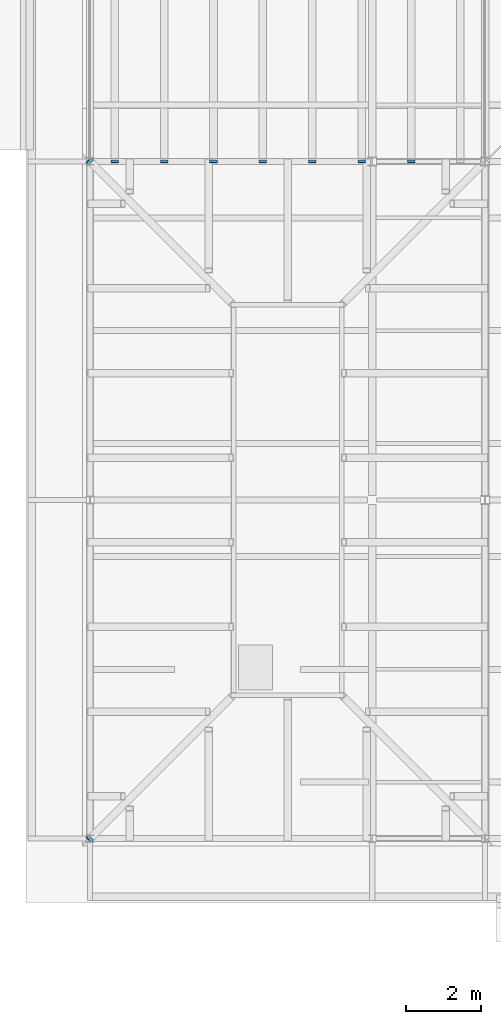
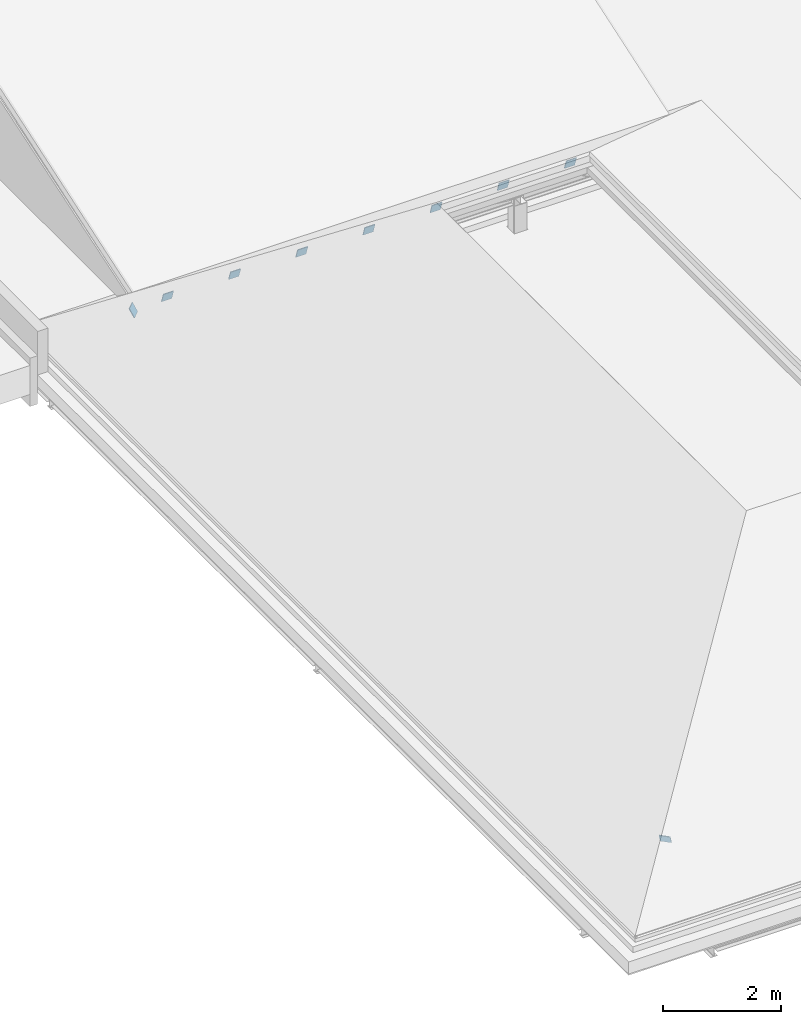
# One storey, part 99 of 121: 9 discrete accessories.
"""IFC4 building model written with IfcOpenShell, lengths in metres."""

from ifc_helpers import new_model, si_unit, direction, frame, origin, origin_2d, place, context, subcontext, project, spatial, rectangle, extrude, material, material_profile, profile_set, type_object, element, save


model = new_model("IFC4")

# Units and contexts
model_context = context("Model", 3, precision=1e-05, world=origin(), true_north=direction((0.0, 1.0)))
body_context = subcontext(model_context, "Body", "Model", "MODEL_VIEW")
ifc_project = project(units=[si_unit("LENGTHUNIT", "METRE"), si_unit("AREAUNIT", "SQUARE_METRE"), si_unit("VOLUMEUNIT", "CUBIC_METRE"), si_unit("PLANEANGLEUNIT", "RADIAN"), si_unit("MASSUNIT", "GRAM", prefix="KILO")], contexts=[model_context])

# Site, building, storey
site_placement = place(None, origin())
site = spatial("IfcSite", under=ifc_project, at=site_placement, CompositionType="ELEMENT")
building_placement = place(site_placement, origin())
building = spatial("IfcBuilding", under=site, at=building_placement, Name="Golden Quay Civic Hall", CompositionType="ELEMENT")
storey_placement = place(building_placement, frame((0.0, 0.0, 18.60009765625)))
storey = spatial("IfcBuildingStorey", under=building, at=storey_placement, Name="L04", CompositionType="ELEMENT", Elevation=18.60009765625)

# Discrete accessories
ifc_material = material(Name="Steel S355", Category="steel")
ifc_material_profile = material_profile(ifc_material, rectangle(XDim=0.199951171875, YDim=0.199951171875, at=origin_2d()), Name="Steel end cap plate 200x200x16")
ifc_profile_set = profile_set([ifc_material_profile], Name="Steel S355")
discrete_accessory_type = type_object("IfcDiscreteAccessoryType", Name="Steel end cap plate 200x200x16", PredefinedType="BRACKET", material=ifc_profile_set)
for number, where, z_axis, x_axis, name in (
    (1, (54.0, 0.0, 0.92822265625), (-0.628025291884, -0.628025291884, -0.459530701378), (0.707106781187, -0.707106781187, 0.0), "End cap hip rafter WM-S south-west"),
    (2, (54.0, 18.0, 0.92822265625), (-0.628025291884, 0.628025291884, -0.459530701378), (-0.707106781187, -0.707106781187, 0.0), "End cap hip rafter WM-S north-west"),
    (3, (54.65625, 18.0, 0.990478515625), (0.0, -0.947144575628, -0.32080703368), (1.0, 0.0, 0.0), "End cap gable rafter south 1"),
    (4, (55.96875, 18.0, 0.990478515625), (0.0, -0.947144575628, -0.32080703368), (1.0, 0.0, 0.0), "End cap gable rafter south 2"),
    (5, (57.28125, 18.0, 0.990478515625), (0.0, -0.947144575628, -0.32080703368), (1.0, 0.0, 0.0), "End cap gable rafter south 3"),
    (6, (58.59375, 18.0, 0.990478515625), (0.0, -0.947144575628, -0.32080703368), (1.0, 0.0, 0.0), "End cap gable rafter south 4"),
    (7, (59.90625, 18.0, 0.990478515625), (0.0, -0.947144575628, -0.32080703368), (1.0, 0.0, 0.0), "End cap gable rafter south 5"),
    (8, (61.21875, 18.0, 0.990478515625), (0.0, -0.947144575628, -0.32080703368), (1.0, 0.0, 0.0), "End cap gable rafter south 6"),
    (9, (62.53125, 18.0, 0.990478515625), (0.0, -0.947144575628, -0.32080703368), (1.0, 0.0, 0.0), "End cap gable rafter south 7"),
):
    element("IfcDiscreteAccessory", number, at=place(storey_placement, frame(where, z_axis=z_axis, x_axis=x_axis)), inside=storey, type_object=discrete_accessory_type, Name=name, PredefinedType="BRACKET", context=body_context, shape_type="SweptSolid", body=[
        extrude(rectangle(XDim=0.199951171875, YDim=0.199951171875, at=origin_2d()), origin(), (0.0, 0.0, 1.0), 0.015869140625),
    ])

save(model, "model.ifc")
